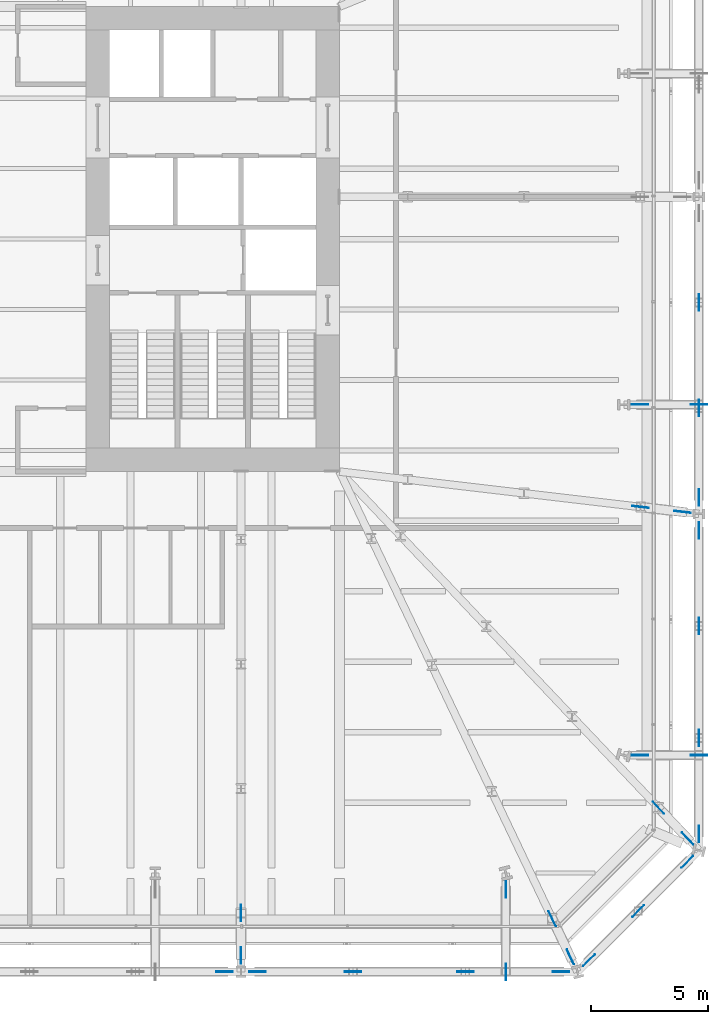
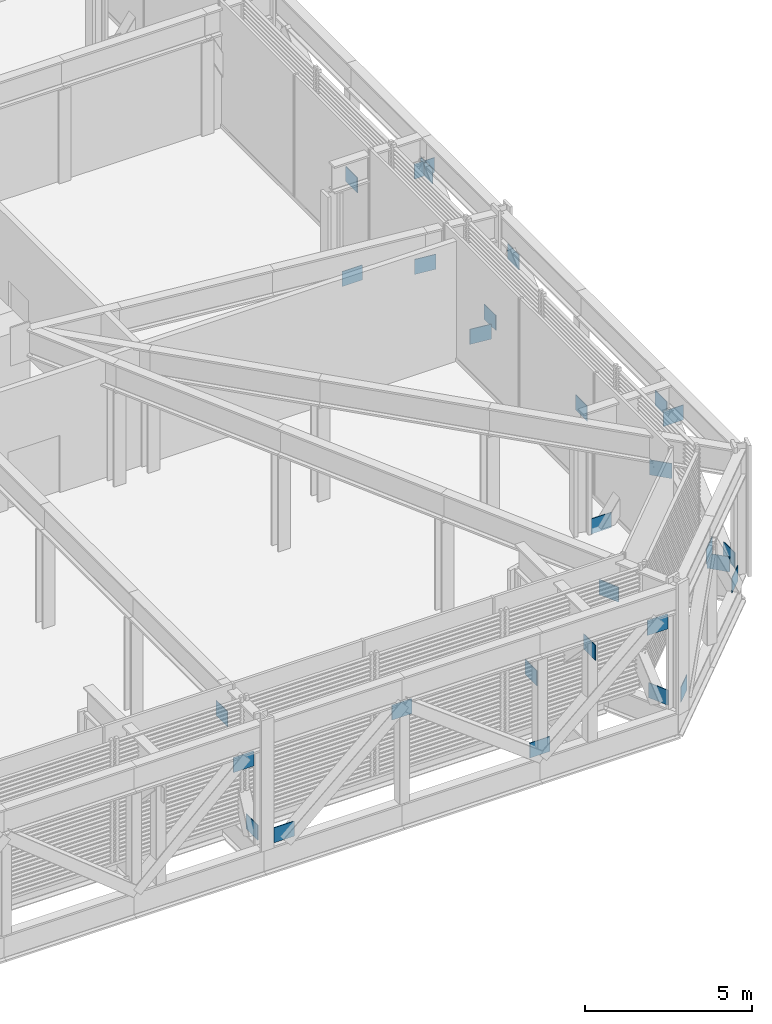
# One storey, part 24 of 29: 29 discrete accessories.
"""IFC4 building model written with IfcOpenShell, lengths in metres."""

import ifcopenshell
import ifcopenshell.guid

model = None  # the IFC model being written
_history = None  # IfcOwnerHistory: only IFC2X3 demands one
_inside = {}  # id of a spatial element -> (the spatial element, [elements in it])
_under = {}  # id of a project, library or spatial element -> (it, [spatial elements below it])
_declared = {}  # id of a project -> (the project, [libraries it declares])
_typed = {}  # id of a type object -> (the type object, [elements of that type])
_made_of = {}  # id of a material, layer set ... -> (it, [elements and type objects made of it])


def new_model(schema):
    """Start an empty IFC model of exactly this schema.

    Asked for "IFC4X3", IfcOpenShell would pick the latest addendum, in which some entities
    have other attributes; the version numbers below select the first issue.
    IFC2X3 requires an IfcOwnerHistory on every rooted entity: one is made here for all.
    """
    global model, _history
    if schema == "IFC4X3":
        model = ifcopenshell.file(schema_version=(4, 3, 0, 0))
    else:
        model = ifcopenshell.file(schema=schema)
    _inside.clear()
    _under.clear()
    _declared.clear()
    _typed.clear()
    _made_of.clear()
    _history = None
    if model.schema == "IFC2X3":
        org = make("IfcOrganization", Name="unknown")
        user = make(
            "IfcPersonAndOrganization",
            ThePerson=make("IfcPerson", FamilyName="unknown"),
            TheOrganization=org,
        )
        app = make(
            "IfcApplication",
            ApplicationDeveloper=org,
            Version="unknown",
            ApplicationFullName="unknown",
            ApplicationIdentifier="unknown",
        )
        _history = make(
            "IfcOwnerHistory",
            OwningUser=user,
            OwningApplication=app,
            ChangeAction="ADDED",
            CreationDate=0,
        )
    return model


def make(cls, **values):
    """One entity of the class cls with the attributes given. An attribute that is None is left unset."""
    return model.create_entity(
        cls, **{name: value for name, value in values.items() if value is not None}
    )


def rooted(cls, **values):
    """An entity with a GlobalId (a new one), such as an element, a storey or a relation."""
    return make(cls, GlobalId=ifcopenshell.guid.new(), OwnerHistory=_history, **values)


def si_unit(unit_type, name, prefix=None):
    """IfcSIUnit, for example si_unit("LENGTHUNIT", "METRE", prefix="MILLI")."""
    return make("IfcSIUnit", UnitType=unit_type, Prefix=prefix, Name=name)


def assignment(units):
    """IfcUnitAssignment: the units of a project."""
    return None if units is None else make("IfcUnitAssignment", Units=units)


def point(xyz):
    """IfcCartesianPoint."""
    return None if xyz is None else make("IfcCartesianPoint", Coordinates=xyz)


def direction(xyz):
    """IfcDirection."""
    return None if xyz is None else make("IfcDirection", DirectionRatios=xyz)


def frame(location, z_axis=None, x_axis=None):
    """IfcAxis2Placement3D, a coordinate frame: its origin and axes. An axis left out is left unset."""
    return make(
        "IfcAxis2Placement3D",
        Location=point(location),
        Axis=direction(z_axis),
        RefDirection=direction(x_axis),
    )


def frame_2d(location, x_axis=None):
    """IfcAxis2Placement2D, a coordinate frame in the plane: its origin and x axis."""
    return make(
        "IfcAxis2Placement2D", Location=point(location), RefDirection=direction(x_axis)
    )


def origin():
    """The frame at (0, 0, 0) with its axes left unset."""
    return frame((0.0, 0.0, 0.0))


def origin_2d():
    """The frame at (0, 0) in the plane with its x axis left unset."""
    return frame_2d((0.0, 0.0))


def place(relative_to, where):
    """IfcLocalPlacement: puts the frame where relative to a parent placement (None: the world)."""
    return make(
        "IfcLocalPlacement", PlacementRelTo=relative_to, RelativePlacement=where
    )


def context(
    kind, dimensions, precision=None, world=None, true_north=None, identifier=None
):
    """IfcGeometricRepresentationContext, for example the 3D "Model" context."""
    return make(
        "IfcGeometricRepresentationContext",
        ContextIdentifier=identifier,
        ContextType=kind,
        CoordinateSpaceDimension=dimensions,
        Precision=precision,
        WorldCoordinateSystem=world,
        TrueNorth=true_north,
    )


def subcontext(parent, identifier, kind, view, scale=None):
    """IfcGeometricRepresentationSubContext, for example "Body" below "Model"."""
    return make(
        "IfcGeometricRepresentationSubContext",
        ContextIdentifier=identifier,
        ContextType=kind,
        ParentContext=parent,
        TargetScale=scale,
        TargetView=view,
    )


def project(units=None, contexts=None):
    """IfcProject with its units and contexts."""
    return rooted(
        "IfcProject",
        Name="project",
        RepresentationContexts=contexts,
        UnitsInContext=assignment(units),
    )


def spatial(cls, under=None, at=None, **own):
    """A site, building, storey or space (cls), placed at a placement, below another one or the project."""
    s = rooted(cls, ObjectPlacement=at, **own)
    if under is not None:
        _under.setdefault(under.id(), (under, []))[1].append(s)
    return s


def profile(cls, at=None, kind="AREA", **sizes):
    """A parametric profile (cls). Its sizes go by their IFC names, for example OverallWidth=200.0."""
    return make(cls, ProfileType=kind, Position=at, **sizes)


def rectangle(**sizes):
    """IfcRectangleProfileDef."""
    return profile("IfcRectangleProfileDef", **sizes)


def extrude(swept, where, along, depth):
    """IfcExtrudedAreaSolid: the profile swept, set in the frame where, extruded along a direction by depth."""
    return make(
        "IfcExtrudedAreaSolid",
        SweptArea=swept,
        Position=where,
        ExtrudedDirection=direction(along),
        Depth=depth,
    )


def shape(context_of_items, identifier, shape_type, items):
    """IfcShapeRepresentation: the items that make up one representation, for example the "Body"."""
    return make(
        "IfcShapeRepresentation",
        ContextOfItems=context_of_items,
        RepresentationIdentifier=identifier,
        RepresentationType=shape_type,
        Items=items,
    )


def material(Name=None, Category=None):
    """IfcMaterial."""
    return make("IfcMaterial", Name=Name, Category=Category)


def layer(
    of_material, thickness, ventilated=None, Name=None, Category=None, Priority=None
):
    """IfcMaterialLayer: one layer of a wall or slab, of a material (None: an air gap)."""
    return make(
        "IfcMaterialLayer",
        Material=of_material,
        LayerThickness=thickness,
        IsVentilated=ventilated,
        Name=Name,
        Category=Category,
        Priority=Priority,
    )


def layer_set(layers, Name=None):
    """IfcMaterialLayerSet."""
    return make("IfcMaterialLayerSet", MaterialLayers=layers, LayerSetName=Name)


def made_of(thing, what):
    """Note that an element or type object is made of a material, layer set ...; save() writes the relation."""
    if what is not None:
        _made_of.setdefault(what.id(), (what, []))[1].append(thing)
    return thing


def type_object(cls, material=None, **own):
    """A type object (cls), such as IfcWallType, which elements share."""
    return made_of(rooted(cls, **own), material)


def element(
    cls,
    number,
    at=None,
    inside=None,
    cuts=None,
    type_object=None,
    material=None,
    context=None,
    identifier="Body",
    shape_type=None,
    held_by="IfcProductDefinitionShape",
    body=None,
    shapes=None,
    **own,
):
    """One element of the class cls, such as IfcWall. Its Tag is "e" and its number.

    at: its placement. inside: the storey or other place that contains it. cuts: it is an
    opening in that element (IfcRelVoidsElement). A single representation is given by context,
    identifier, shape_type and body (its items); several are given by shapes. held_by: the class
    of the entity that holds the representations. save() writes the other relations.
    """
    e = rooted(cls, Tag="e%d" % number, ObjectPlacement=at, **own)
    if body is not None:
        shapes = [shape(context, identifier, shape_type, body)]
    if shapes is not None:
        e.Representation = make(held_by, Representations=shapes)
    if inside is not None:
        _inside.setdefault(inside.id(), (inside, []))[1].append(e)
    if cuts is not None:
        rooted(
            "IfcRelVoidsElement", RelatingBuildingElement=cuts, RelatedOpeningElement=e
        )
    if type_object is not None:
        _typed.setdefault(type_object.id(), (type_object, []))[1].append(e)
    return made_of(e, material)


def aggregate(whole, parts):
    """IfcRelAggregates: a whole, such as a stair, and the parts it consists of."""
    return rooted("IfcRelAggregates", RelatingObject=whole, RelatedObjects=parts)


def save(model, path):
    """Write the relations noted so far, then the file.

    IfcRelAggregates (storeys below a building ...), IfcRelContainedInSpatialStructure (elements
    in a storey), IfcRelDefinesByType, IfcRelAssociatesMaterial and IfcRelDeclares: one each for
    every whole, place, type object, material and project.
    """
    for whole, parts in _under.values():
        aggregate(whole, parts)
    for where, things in _inside.values():
        rooted(
            "IfcRelContainedInSpatialStructure",
            RelatedElements=things,
            RelatingStructure=where,
        )
    for kind, things in _typed.values():
        rooted("IfcRelDefinesByType", RelatedObjects=things, RelatingType=kind)
    for what, things in _made_of.values():
        rooted("IfcRelAssociatesMaterial", RelatedObjects=things, RelatingMaterial=what)
    for by, libraries in _declared.values():
        rooted("IfcRelDeclares", RelatingContext=by, RelatedDefinitions=libraries)
    model.write(path)


model = new_model("IFC4")

# Units and contexts
model_context = context("Model", 3, precision=1e-05, world=origin(), true_north=direction((0.0, 1.0)))
body_context = subcontext(model_context, "Body", "Model", "MODEL_VIEW")
ifc_project = project(units=[si_unit("LENGTHUNIT", "METRE"), si_unit("AREAUNIT", "SQUARE_METRE"), si_unit("VOLUMEUNIT", "CUBIC_METRE"), si_unit("PLANEANGLEUNIT", "RADIAN"), si_unit("MASSUNIT", "GRAM", prefix="KILO")], contexts=[model_context])

# Site, building, storey
site_placement = place(None, origin())
site = spatial("IfcSite", under=ifc_project, at=site_placement, CompositionType="ELEMENT")
building_placement = place(site_placement, origin())
building = spatial("IfcBuilding", under=site, at=building_placement, Name="Millrace Tower", CompositionType="ELEMENT")
storey_placement = place(building_placement, frame((0.0, 0.0, 68.60009765625)))
storey = spatial("IfcBuildingStorey", under=building, at=storey_placement, Name="L15", CompositionType="ELEMENT", Elevation=68.60009765625)

# Discrete accessories
ifc_material = material(Name="Steel ASTM A572 Grade 50", Category="steel")
ifc_layer = layer(ifc_material, 0.02490234375)
ifc_layer_set = layer_set([ifc_layer], Name="Steel ASTM A572 Grade 50")
discrete_accessory_type = type_object("IfcDiscreteAccessoryType", Name="Truss gusset plate 700x550x25", PredefinedType="BRACKET", material=ifc_layer_set)
discrete_accessory_1_placement = place(storey_placement, frame((9.64990234375, -31.199951171875, 3.1318359375), z_axis=(1.0, 0.0, 0.0), x_axis=(0.0, 1.0, 0.0)))
element("IfcDiscreteAccessory", 1, at=discrete_accessory_1_placement, inside=storey, type_object=discrete_accessory_type, Name="Truss gusset plate TRS-L15-R03-D03 head", PredefinedType="BRACKET", context=body_context, shape_type="SweptSolid", body=[
    extrude(rectangle(XDim=0.02490234375, YDim=0.550048828125, at=origin_2d()), origin(), (0.0, 0.0, 1.0), 0.7001953125),
])
for number, where, z_axis, x_axis, name in (
    (2, (11.050048828125, -31.199951171875, 0.074951171875), (1.0, 0.0, 0.0), (0.0, 1.0, 0.0), "Truss gusset plate TRS-L15-R04-D01 foot"),
    (3, (15.126220703125, -31.199951171875, 3.1318359375), (1.0, 0.0, 0.0), (0.0, 1.0, 0.0), "Truss gusset plate TRS-L15-R04-D01 head"),
    (4, (19.90234375, -31.199951171875, 0.074951171875), (1.0, 0.0, 0.0), (0.0, 1.0, 0.0), "Truss gusset plate TRS-L15-R04-D02 foot"),
    (5, (23.978515625, -31.199951171875, 3.1318359375), (1.0, 0.0, 0.0), (0.0, 1.0, 0.0), "Truss gusset plate TRS-L15-R04-D03 head"),
    (6, (25.27587890625, -30.952392578125, 0.074951171875), (0.707281138664, 0.706932380706, 0.0), (-0.706932380706, 0.707281138664, 0.0), "Truss gusset plate TRS-L15-R05-D01 foot"),
):
    element("IfcDiscreteAccessory", number, at=place(storey_placement, frame(where, z_axis=z_axis, x_axis=x_axis)), inside=storey, type_object=discrete_accessory_type, Name=name, PredefinedType="BRACKET", context=body_context, shape_type="SweptSolid", body=[
        extrude(rectangle(XDim=0.02490234375, YDim=0.550048828125, at=origin_2d()), origin(), (0.0, 0.0, 1.0), 0.699951171875),
    ])
discrete_accessory_2_placement = place(storey_placement, frame((27.36669921875, -28.86181640625, 3.1318359375), z_axis=(0.707106781187, 0.707106781187, 0.0), x_axis=(-0.707106781187, 0.707106781187, 0.0)))
element("IfcDiscreteAccessory", 7, at=discrete_accessory_2_placement, inside=storey, type_object=discrete_accessory_type, Name="Truss gusset plate TRS-L15-R05-D01 head", PredefinedType="BRACKET", context=body_context, shape_type="SweptSolid", body=[
    extrude(rectangle(XDim=0.02490234375, YDim=0.550048828125, at=origin_2d()), origin(), (0.0, 0.0, 1.0), 0.7001953125),
])
for number, where, z_axis, x_axis, name in (
    (8, (29.45751953125, -26.77099609375, 0.074951171875), (0.706932380706, 0.707281138664, 0.0), (-0.707281138664, 0.706932380706, 0.0), "Truss gusset plate TRS-L15-R05-D02 foot"),
    (9, (30.199951171875, -25.678466796875, 0.074951171875), (0.0, 1.0, 0.0), (-1.0, 0.0, 0.0), "Truss gusset plate TRS-L15-R06-D01 foot"),
    (10, (30.199951171875, -21.602294921875, 3.1318359375), (0.0, 1.0, 0.0), (-1.0, 0.0, 0.0), "Truss gusset plate TRS-L15-R06-D01 head"),
    (11, (30.199951171875, -16.826171875, 0.074951171875), (0.0, 1.0, 0.0), (-1.0, 0.0, 0.0), "Truss gusset plate TRS-L15-R06-D02 foot"),
    (12, (30.199951171875, -12.75, 3.1318359375), (0.0, 1.0, 0.0), (-1.0, 0.0, 0.0), "Truss gusset plate TRS-L15-R06-D03 head"),
):
    element("IfcDiscreteAccessory", number, at=place(storey_placement, frame(where, z_axis=z_axis, x_axis=x_axis)), inside=storey, type_object=discrete_accessory_type, Name=name, PredefinedType="BRACKET", context=body_context, shape_type="SweptSolid", body=[
        extrude(rectangle(XDim=0.02490234375, YDim=0.550048828125, at=origin_2d()), origin(), (0.0, 0.0, 1.0), 0.699951171875),
    ])
discrete_accessory_3_placement = place(storey_placement, frame((30.199951171875, -11.35009765625, 0.074951171875), z_axis=(0.0, 1.0, 0.0), x_axis=(-1.0, 0.0, 0.0)))
element("IfcDiscreteAccessory", 13, at=discrete_accessory_3_placement, inside=storey, type_object=discrete_accessory_type, Name="Truss gusset plate TRS-L15-R07-D01 foot", PredefinedType="BRACKET", context=body_context, shape_type="SweptSolid", body=[
    extrude(rectangle(XDim=0.02490234375, YDim=0.550048828125, at=origin_2d()), origin(), (0.0, 0.0, 1.0), 0.7001953125),
])
for number, where, z_axis, x_axis, name in (
    (14, (30.199951171875, -7.550048828125, 3.1318359375), (0.0, 1.0, 0.0), (-1.0, 0.0, 0.0), "Truss gusset plate TRS-L15-R07-D01 head"),
    (15, (30.199951171875, -3.050048828125, 0.074951171875), (0.0, 1.0, 0.0), (-1.0, 0.0, 0.0), "Truss gusset plate TRS-L15-R07-D02 foot"),
):
    element("IfcDiscreteAccessory", number, at=place(storey_placement, frame(where, z_axis=z_axis, x_axis=x_axis)), inside=storey, type_object=discrete_accessory_type, Name=name, PredefinedType="BRACKET", context=body_context, shape_type="SweptSolid", body=[
        extrude(rectangle(XDim=0.02490234375, YDim=0.550048828125, at=origin_2d()), origin(), (0.0, 0.0, 1.0), 0.699951171875),
    ])
discrete_accessory_4_placement = place(storey_placement, frame((10.699951171875, -30.85009765625, 0.074951171875), z_axis=(0.0, 1.0, 0.0), x_axis=(-1.0, 0.0, 0.0)))
element("IfcDiscreteAccessory", 16, at=discrete_accessory_4_placement, inside=storey, type_object=discrete_accessory_type, Name="Truss gusset plate TRS-L15-C04-D01 foot", PredefinedType="BRACKET", context=body_context, shape_type="SweptSolid", body=[
    extrude(rectangle(XDim=0.02490234375, YDim=0.550048828125, at=origin_2d()), origin(), (0.0, 0.0, 1.0), 0.7001953125),
])
for number, where, z_axis, x_axis, name in (
    (17, (10.699951171875, -29.050048828125, 3.1318359375), (0.0, 1.0, 0.0), (-1.0, 0.0, 0.0), "Truss gusset plate TRS-L15-C04-D01 head"),
    (18, (24.577392578125, -30.251708984375, 0.074951171875), (0.429689874037, -0.902976529125, 0.0), (0.902976529125, 0.429689874037, 0.0), "Truss gusset plate TRS-L15-C05-D01 foot"),
    (19, (23.804443359375, -28.626220703125, 3.1318359375), (0.429405431233, -0.903111828971, 0.0), (0.903111828971, 0.429405431233, 0.0), "Truss gusset plate TRS-L15-C05-D01 head"),
    (20, (29.477294921875, -25.2666015625, 0.074951171875), (0.688199237108, -0.725521750221, 0.0), (0.725521750221, 0.688199237108, 0.0), "Truss gusset plate TRS-L15-C06-D01 foot"),
    (21, (28.238525390625, -23.960693359375, 3.1318359375), (0.688199237108, -0.725521750221, 0.0), (0.725521750221, 0.688199237108, 0.0), "Truss gusset plate TRS-L15-C06-D01 head"),
    (22, (29.1572265625, -11.577392578125, 0.074951171875), (0.993148222954, -0.116861487422, 0.0), (0.116861487422, 0.993148222954, 0.0), "Truss gusset plate TRS-L15-C07-D01 foot"),
):
    element("IfcDiscreteAccessory", number, at=place(storey_placement, frame(where, z_axis=z_axis, x_axis=x_axis)), inside=storey, type_object=discrete_accessory_type, Name=name, PredefinedType="BRACKET", context=body_context, shape_type="SweptSolid", body=[
        extrude(rectangle(XDim=0.02490234375, YDim=0.550048828125, at=origin_2d()), origin(), (0.0, 0.0, 1.0), 0.699951171875),
    ])
discrete_accessory_5_placement = place(storey_placement, frame((27.369384765625, -11.366943359375, 3.1318359375), z_axis=(0.993152984454, -0.116821014674, 0.0), x_axis=(0.116821014674, 0.993152984454, 0.0)))
element("IfcDiscreteAccessory", 23, at=discrete_accessory_5_placement, inside=storey, type_object=discrete_accessory_type, Name="Truss gusset plate TRS-L15-C07-D01 head", PredefinedType="BRACKET", context=body_context, shape_type="SweptSolid", body=[
    extrude(rectangle(XDim=0.02490234375, YDim=0.550048828125, at=origin_2d()), origin(), (0.0, 0.0, 1.0), 0.7001953125),
])
for number, where, z_axis, x_axis, name in (
    (24, (21.978515625, -28.050048828125, 0.074951171875), (0.0, 1.0, 0.0), (-1.0, 0.0, 0.0), "Truss gusset plate TRS-L15-B-A-X05-D01 foot"),
    (25, (21.978515625, -31.550048828125, 3.1318359375), (0.0, 1.0, 0.0), (-1.0, 0.0, 0.0), "Truss gusset plate TRS-L15-B-A-X05-D01 head"),
    (26, (27.35009765625, -21.978515625, 0.074951171875), (1.0, 0.0, 0.0), (0.0, 1.0, 0.0), "Truss gusset plate TRS-L15-B-A-X06-D01 foot"),
    (27, (29.85009765625, -21.978515625, 3.1318359375), (1.0, 0.0, 0.0), (0.0, 1.0, 0.0), "Truss gusset plate TRS-L15-B-A-X06-D01 head"),
    (28, (27.35009765625, -7.050048828125, 0.074951171875), (1.0, 0.0, 0.0), (0.0, 1.0, 0.0), "Truss gusset plate TRS-L15-B-A-X07-D01 foot"),
    (29, (29.85009765625, -7.050048828125, 3.1318359375), (1.0, 0.0, 0.0), (0.0, 1.0, 0.0), "Truss gusset plate TRS-L15-B-A-X07-D01 head"),
):
    element("IfcDiscreteAccessory", number, at=place(storey_placement, frame(where, z_axis=z_axis, x_axis=x_axis)), inside=storey, type_object=discrete_accessory_type, Name=name, PredefinedType="BRACKET", context=body_context, shape_type="SweptSolid", body=[
        extrude(rectangle(XDim=0.02490234375, YDim=0.550048828125, at=origin_2d()), origin(), (0.0, 0.0, 1.0), 0.699951171875),
    ])

save(model, "model.ifc")
